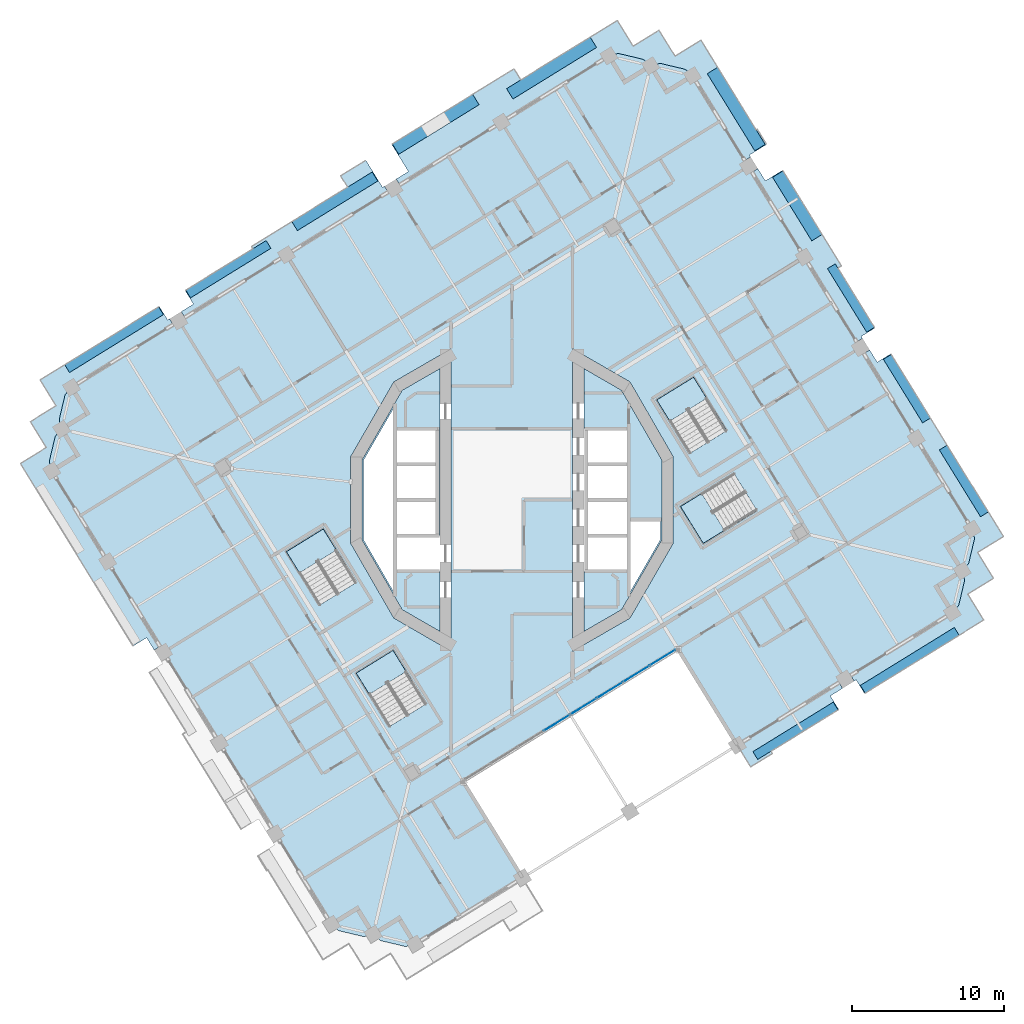
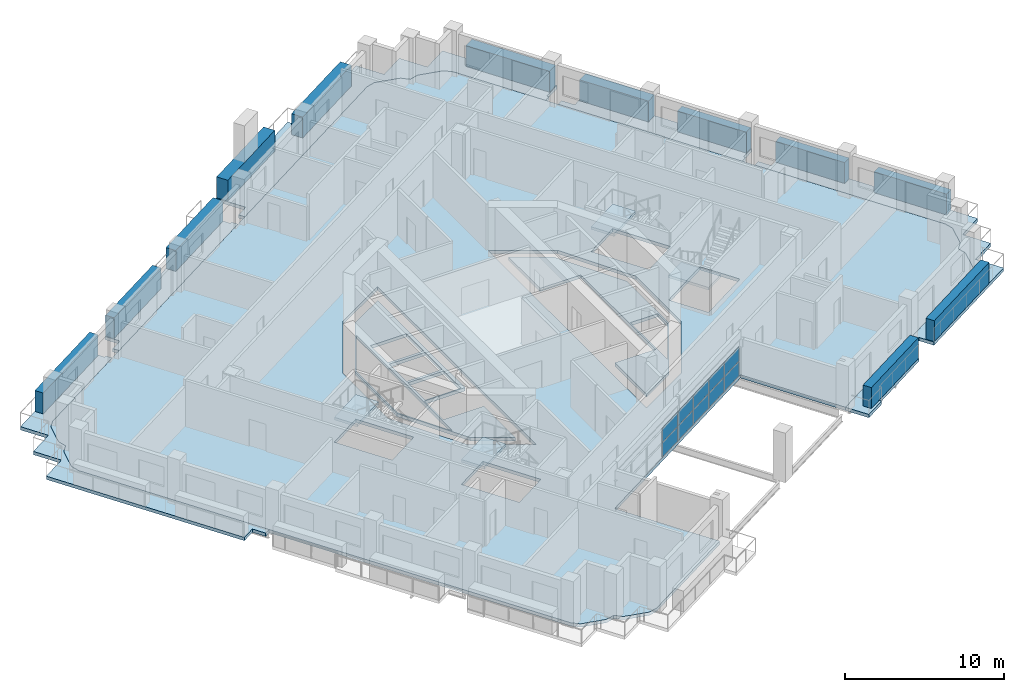
# One storey, part 7 of 22: 22 plates, 13 slabs, 5 elements without a shape of their own.
"""IFC4 building model written with IfcOpenShell, lengths in metres."""

from ifc_helpers import new_model, si_unit, direction, frame, origin, origin_2d, place, context, subcontext, project, spatial, polyline, rectangle, outline, extrude, material, layer, layer_set, type_object, element, aggregate, save


model = new_model("IFC4")

# Units and contexts
model_context = context("Model", 3, precision=1e-05, world=origin(), true_north=direction((0.0, 1.0)))
body_context = subcontext(model_context, "Body", "Model", "MODEL_VIEW")
ifc_project = project(units=[si_unit("LENGTHUNIT", "METRE"), si_unit("AREAUNIT", "SQUARE_METRE"), si_unit("VOLUMEUNIT", "CUBIC_METRE"), si_unit("PLANEANGLEUNIT", "RADIAN"), si_unit("MASSUNIT", "GRAM", prefix="KILO")], contexts=[model_context])

# Site, building, storey
site_placement = place(None, origin())
site = spatial("IfcSite", under=ifc_project, at=site_placement, CompositionType="ELEMENT")
building_placement = place(site_placement, origin())
building = spatial("IfcBuilding", under=site, at=building_placement, Name="Cantera Rosa Tower", CompositionType="ELEMENT")
storey_placement = place(building_placement, frame((0.0, 0.0, 174.199951171875)))
storey = spatial("IfcBuildingStorey", under=building, at=storey_placement, Name="L38", CompositionType="ELEMENT", Elevation=174.199951171875)

# Slabs
ifc_material_1 = material(Name="Concrete C35/45", Category="concrete")
ifc_layer_1 = layer(ifc_material_1, 0.25)
ifc_layer_set_1 = layer_set([ifc_layer_1], Name="COMPOSITE FLOOR SLAB 250 C35/45")
slab_type_1 = type_object("IfcSlabType", Name="COMPOSITE FLOOR SLAB 250 C35/45", PredefinedType="FLOOR", material=ifc_layer_set_1)
slab_1_placement = place(storey_placement, frame((0.0, 0.0, -0.25)))
element("IfcSlab", 1, at=slab_1_placement, inside=storey, type_object=slab_type_1, Name="SLAB L38 floor 1", PredefinedType="FLOOR", context=body_context, shape_type="SweptSolid", body=[
    extrude(outline(polyline([(-7.699951171875, -2.35009765625), (-7.699951171875, -4.699951171875), (-4.75, -4.699951171875), (-4.75, -8.660400390625), (-7.22900390625, -7.22900390625), (-9.875244140625, -2.64599609375), (-9.875244140625, 2.64599609375), (-7.22900390625, 7.22900390625), (-4.75, 8.660400390625), (-4.75, -2.35009765625), (-7.699951171875, -2.35009765625)]), holes=[polyline([(-7.60009765625, -0.10009765625), (-7.60009765625, -2.25), (-5.0, -2.25), (-5.0, -0.10009765625), (-7.60009765625, -0.10009765625)]), polyline([(-7.800048828125, 6.040283203125), (-9.775146484375, 2.619384765625), (-9.775146484375, -2.619384765625), (-7.800048828125, -6.040283203125), (-7.800048828125, 6.040283203125)]), polyline([(-7.60009765625, 2.25), (-7.60009765625, 0.10009765625), (-5.0, 0.10009765625), (-5.0, 2.25), (-7.60009765625, 2.25)]), polyline([(-7.60009765625, 4.60009765625), (-7.60009765625, 2.449951171875), (-5.0, 2.449951171875), (-5.0, 4.60009765625), (-7.60009765625, 4.60009765625)])]), origin(), (0.0, 0.0, 1.0), 0.25),
])
slab_2_placement = place(storey_placement, frame((0.0, 0.0, -0.25)))
element("IfcSlab", 2, at=slab_2_placement, inside=storey, type_object=slab_type_1, Name="SLAB L38 floor 2", PredefinedType="FLOOR", context=body_context, shape_type="SweptSolid", body=[
    extrude(outline(polyline([(-8.647705078125, -29.0283203125), (-8.673828125, -29.014892578125), (-8.698486328125, -28.998779296875), (-8.721435546875, -28.98046875), (-9.14208984375, -28.60888671875), (-9.684814453125, -28.752197265625), (-9.713623046875, -28.75830078125), (-9.742919921875, -28.761474609375), (-9.772216796875, -28.76171875), (-9.801513671875, -28.75927734375), (-9.83056640625, -28.75390625), (-11.34423828125, -28.395263671875), (-11.37255859375, -28.386962890625), (-11.39990234375, -28.376220703125), (-11.426025390625, -28.362548828125), (-11.45068359375, -28.346435546875), (-11.4736328125, -28.328125), (-11.894287109375, -27.95654296875), (-12.408935546875, -27.122314453125), (-30.321044921875, 1.917724609375), (-30.46435546875, 2.460205078125), (-30.470458984375, 2.489013671875), (-30.4736328125, 2.518310546875), (-30.47412109375, 2.5478515625), (-30.4716796875, 2.5771484375), (-30.46630859375, 2.606201171875), (-30.107421875, 4.119873046875), (-30.09912109375, 4.148193359375), (-30.08837890625, 4.17529296875), (-30.07470703125, 4.20166015625), (-30.05859375, 4.226318359375), (-30.040283203125, 4.249267578125), (-29.668701171875, 4.669921875), (-29.81201171875, 5.21240234375), (-29.818115234375, 5.2412109375), (-29.8212890625, 5.2705078125), (-29.82177734375, 5.300048828125), (-29.8193359375, 5.329345703125), (-29.81396484375, 5.3583984375), (-29.455078125, 6.8720703125), (-29.447021484375, 6.900390625), (-29.43603515625, 6.927490234375), (-29.422607421875, 6.953857421875), (-29.406494140625, 6.978515625), (-29.38818359375, 7.00146484375), (-29.0166015625, 7.422119140625), (6.389892578125, 29.260986328125), (6.9326171875, 29.404296875), (6.96142578125, 29.410400390625), (6.99072265625, 29.413818359375), (7.02001953125, 29.4140625), (7.049560546875, 29.41162109375), (7.078369140625, 29.40625), (8.592041015625, 29.047607421875), (8.620361328125, 29.039306640625), (8.647705078125, 29.0283203125), (8.673828125, 29.014892578125), (8.698486328125, 28.998779296875), (8.721435546875, 28.98046875), (9.14208984375, 28.60888671875), (9.684814453125, 28.752197265625), (9.713623046875, 28.75830078125), (9.742919921875, 28.761474609375), (9.772216796875, 28.76171875), (9.801513671875, 28.75927734375), (9.83056640625, 28.75390625), (11.34423828125, 28.395263671875), (11.37255859375, 28.386962890625), (11.39990234375, 28.376220703125), (11.426025390625, 28.362548828125), (11.45068359375, 28.346435546875), (11.4736328125, 28.328125), (11.894287109375, 27.95654296875), (30.321044921875, -1.917724609375), (30.46435546875, -2.460205078125), (30.470458984375, -2.489013671875), (30.4736328125, -2.518310546875), (30.47412109375, -2.5478515625), (30.4716796875, -2.5771484375), (30.46630859375, -2.606201171875), (30.107421875, -4.119873046875), (30.09912109375, -4.148193359375), (30.08837890625, -4.17529296875), (30.07470703125, -4.20166015625), (30.05859375, -4.226318359375), (30.040283203125, -4.249267578125), (29.668701171875, -4.669921875), (29.81201171875, -5.21240234375), (29.818115234375, -5.2412109375), (29.8212890625, -5.2705078125), (29.82177734375, -5.300048828125), (29.8193359375, -5.329345703125), (29.81396484375, -5.3583984375), (29.455078125, -6.8720703125), (29.447021484375, -6.900390625), (29.43603515625, -6.927490234375), (29.422607421875, -6.953857421875), (29.406494140625, -6.978515625), (29.38818359375, -7.00146484375), (29.0166015625, -7.422119140625), (28.18212890625, -7.9365234375), (14.85400390625, -16.15771484375), (10.91650390625, -9.7744140625), (-3.24609375, -18.510009765625), (0.69140625, -24.893310546875), (-6.389892578125, -29.260986328125), (-6.9326171875, -29.404296875), (-6.96142578125, -29.410400390625), (-6.99072265625, -29.413818359375), (-7.02001953125, -29.4140625), (-7.049560546875, -29.41162109375), (-7.078369140625, -29.40625), (-8.592041015625, -29.047607421875), (-8.620361328125, -29.039306640625), (-8.647705078125, -29.0283203125)]), holes=[polyline([(-5.658447265625, -13.433349609375), (-7.830810546875, -9.911376953125), (-10.256591796875, -11.407470703125), (-8.084228515625, -14.929443359375), (-5.658447265625, -13.433349609375)]), polyline([(-10.258544921875, -5.433349609375), (-12.430908203125, -1.911376953125), (-14.8564453125, -3.407470703125), (-12.68408203125, -6.929443359375), (-10.258544921875, -5.433349609375)]), polyline([(-7.7783203125, 7.7783203125), (-10.625244140625, 2.846923828125), (-10.625244140625, -2.846923828125), (-7.7783203125, -7.7783203125), (-4.0, -9.95947265625), (-4.0, 9.95947265625), (-7.7783203125, 7.7783203125)]), polyline([(14.63330078125, 1.741455078125), (11.111328125, -0.430908203125), (12.607421875, -2.8564453125), (16.12939453125, -0.68408203125), (14.63330078125, 1.741455078125)]), polyline([(7.7783203125, -7.7783203125), (10.625244140625, -2.846923828125), (10.625244140625, 2.846923828125), (7.7783203125, 7.7783203125), (4.0, 9.95947265625), (4.0, -9.95947265625), (7.7783203125, -7.7783203125)]), polyline([(11.7158203125, 3.070556640625), (14.1416015625, 4.566650390625), (11.96923828125, 8.088623046875), (9.54345703125, 6.592529296875), (11.7158203125, 3.070556640625)])]), origin(), (0.0, 0.0, 1.0), 0.25),
])
slab_3_placement = place(storey_placement, frame((0.0, 0.0, -0.25)))
element("IfcSlab", 3, at=slab_3_placement, inside=storey, type_object=slab_type_1, Name="SLAB L38 floor 3", PredefinedType="FLOOR", context=body_context, shape_type="SweptSolid", body=[
    extrude(outline(polyline([(4.75, 4.699951171875), (4.75, 8.660400390625), (7.22900390625, 7.22900390625), (9.875244140625, 2.64599609375), (9.875244140625, -2.64599609375), (7.22900390625, -7.22900390625), (4.75, -8.660400390625), (4.75, -4.699951171875), (7.699951171875, -4.699951171875), (7.699951171875, -2.35009765625), (7.699951171875, 0.0), (7.699951171875, 2.35009765625), (7.699951171875, 4.699951171875), (4.75, 4.699951171875)]), holes=[polyline([(9.775146484375, -2.619384765625), (9.775146484375, -1.3828125), (7.800048828125, -1.3828125), (7.800048828125, -2.25), (7.800048828125, -2.449951171875), (7.800048828125, -6.040283203125), (9.775146484375, -2.619384765625)])]), origin(), (0.0, 0.0, 1.0), 0.25),
])

# Curtain wall, plates
ifc_material_2 = material(Name="Aluminium frame with clear glass", Category="aluminium")
curtain_wall_type = type_object("IfcCurtainWallType", Name="CW1 TERRACE POCKET GLAZING", PredefinedType="NOTDEFINED", material=ifc_material_2)
curtain_wall_placement = place(storey_placement, origin())
curtain_wall = element("IfcCurtainWall", 4, at=curtain_wall_placement, inside=storey, type_object=curtain_wall_type, Name="CW1 CW1", PredefinedType="NOTDEFINED")
ifc_material_3 = material(Name="Aluminium frame with clear glass", Category="aluminium")
ifc_layer_2 = layer(ifc_material_3, 0.028076171875)
ifc_layer_set_2 = layer_set([ifc_layer_2], Name="CW-PANEL POCKET")
plate_type_1 = type_object("IfcPlateType", Name="CW-PANEL POCKET", PredefinedType="CURTAIN_PANEL", material=ifc_layer_set_2)
plate_1_placement = place(storey_placement, frame((2.96337890625, -14.679931640625, 0.06005859375), z_axis=(0.0, 0.0, 1.0), x_axis=(0.851116672425, 0.524976580354, 0.0)))
plate_1 = element("IfcPlate", 5, at=plate_1_placement, type_object=plate_type_1, Name="CW1 panel 4.1", PredefinedType="CURTAIN_PANEL", context=body_context, shape_type="SweptSolid", body=[
    extrude(rectangle(XDim=1.98876953125, YDim=0.028076171875, at=origin_2d()), origin(), (0.0, 0.0, 1.0), 1.0791015625),
])
plate_2_placement = place(storey_placement, frame((2.96337890625, -14.679931640625, 1.198974609375), z_axis=(0.0, 0.0, 1.0), x_axis=(0.851116672425, 0.524976580354, 0.0)))
plate_2 = element("IfcPlate", 6, at=plate_2_placement, type_object=plate_type_1, Name="CW1 panel 4.2", PredefinedType="CURTAIN_PANEL", context=body_context, shape_type="SweptSolid", body=[
    extrude(rectangle(XDim=1.98876953125, YDim=0.028076171875, at=origin_2d()), origin(), (0.0, 0.0, 1.0), 1.0791015625),
])
plate_3_placement = place(storey_placement, frame((4.70703125, -13.604248046875, 0.06005859375), z_axis=(0.0, 0.0, 1.0), x_axis=(0.851116672425, 0.524976580354, 0.0)))
plate_3 = element("IfcPlate", 7, at=plate_3_placement, type_object=plate_type_1, Name="CW1 panel 5.1", PredefinedType="CURTAIN_PANEL", context=body_context, shape_type="SweptSolid", body=[
    extrude(rectangle(XDim=1.98876953125, YDim=0.028076171875, at=origin_2d()), origin(), (0.0, 0.0, 1.0), 1.0791015625),
])
plate_4_placement = place(storey_placement, frame((4.70703125, -13.604248046875, 1.198974609375), z_axis=(0.0, 0.0, 1.0), x_axis=(0.851116672425, 0.524976580354, 0.0)))
plate_4 = element("IfcPlate", 8, at=plate_4_placement, type_object=plate_type_1, Name="CW1 panel 5.2", PredefinedType="CURTAIN_PANEL", context=body_context, shape_type="SweptSolid", body=[
    extrude(rectangle(XDim=1.98876953125, YDim=0.028076171875, at=origin_2d()), origin(), (0.0, 0.0, 1.0), 1.0791015625),
])
plate_5_placement = place(storey_placement, frame((6.450927734375, -12.52880859375, 0.06005859375), z_axis=(0.0, 0.0, 1.0), x_axis=(0.851116672425, 0.524976580354, 0.0)))
plate_5 = element("IfcPlate", 9, at=plate_5_placement, type_object=plate_type_1, Name="CW1 panel 6.1", PredefinedType="CURTAIN_PANEL", context=body_context, shape_type="SweptSolid", body=[
    extrude(rectangle(XDim=1.98876953125, YDim=0.028076171875, at=origin_2d()), origin(), (0.0, 0.0, 1.0), 1.0791015625),
])
plate_6_placement = place(storey_placement, frame((6.450927734375, -12.52880859375, 1.198974609375), z_axis=(0.0, 0.0, 1.0), x_axis=(0.851116672425, 0.524976580354, 0.0)))
plate_6 = element("IfcPlate", 10, at=plate_6_placement, type_object=plate_type_1, Name="CW1 panel 6.2", PredefinedType="CURTAIN_PANEL", context=body_context, shape_type="SweptSolid", body=[
    extrude(rectangle(XDim=1.98876953125, YDim=0.028076171875, at=origin_2d()), origin(), (0.0, 0.0, 1.0), 1.0791015625),
])
plate_7_placement = place(storey_placement, frame((8.194580078125, -11.453125, 0.06005859375), z_axis=(0.0, 0.0, 1.0), x_axis=(0.851116672425, 0.524976580354, 0.0)))
plate_7 = element("IfcPlate", 11, at=plate_7_placement, type_object=plate_type_1, Name="CW1 panel 7.1", PredefinedType="CURTAIN_PANEL", context=body_context, shape_type="SweptSolid", body=[
    extrude(rectangle(XDim=1.98876953125, YDim=0.028076171875, at=origin_2d()), origin(), (0.0, 0.0, 1.0), 1.0791015625),
])
plate_8_placement = place(storey_placement, frame((8.194580078125, -11.453125, 1.198974609375), z_axis=(0.0, 0.0, 1.0), x_axis=(0.851116672425, 0.524976580354, 0.0)))
plate_8 = element("IfcPlate", 12, at=plate_8_placement, type_object=plate_type_1, Name="CW1 panel 7.2", PredefinedType="CURTAIN_PANEL", context=body_context, shape_type="SweptSolid", body=[
    extrude(rectangle(XDim=1.98876953125, YDim=0.028076171875, at=origin_2d()), origin(), (0.0, 0.0, 1.0), 1.0791015625),
])
plate_9_placement = place(storey_placement, frame((9.925537109375, -10.385498046875, 0.06005859375), z_axis=(0.0, 0.0, 1.0), x_axis=(0.851116672425, 0.524976580354, 0.0)))
plate_9 = element("IfcPlate", 13, at=plate_9_placement, type_object=plate_type_1, Name="CW1 panel 8.1", PredefinedType="CURTAIN_PANEL", context=body_context, shape_type="SweptSolid", body=[
    extrude(rectangle(XDim=1.958740234375, YDim=0.028076171875, at=origin_2d()), origin(), (0.0, 0.0, 1.0), 1.0791015625),
])
plate_10_placement = place(storey_placement, frame((9.925537109375, -10.385498046875, 1.198974609375), z_axis=(0.0, 0.0, 1.0), x_axis=(0.851116672425, 0.524976580354, 0.0)))
plate_10 = element("IfcPlate", 14, at=plate_10_placement, type_object=plate_type_1, Name="CW1 panel 8.2", PredefinedType="CURTAIN_PANEL", context=body_context, shape_type="SweptSolid", body=[
    extrude(rectangle(XDim=1.958740234375, YDim=0.028076171875, at=origin_2d()), origin(), (0.0, 0.0, 1.0), 1.0791015625),
])
aggregate(curtain_wall, [plate_1, plate_2, plate_3, plate_4, plate_5, plate_6, plate_7, plate_8, plate_9, plate_10])

# Slabs
ifc_material_4 = material(Name="Concrete C35/45", Category="concrete")
ifc_layer_3 = layer(ifc_material_4, 0.25)
ifc_layer_set_3 = layer_set([ifc_layer_3], Name="LOGGIA SLAB 250 C35/45")
slab_type_2 = type_object("IfcSlabType", Name="LOGGIA SLAB 250 C35/45", PredefinedType="FLOOR", material=ifc_layer_set_3)
slab_4_placement = place(storey_placement, frame((0.0, 0.0, -0.25)))
element("IfcSlab", 15, at=slab_4_placement, inside=storey, type_object=slab_type_2, Name="LOGGIA SLAB L38 1", PredefinedType="FLOOR", context=body_context, shape_type="SweptSolid", body=[
    extrude(outline(polyline([(-28.69970703125, -3.568115234375), (-31.59765625, 1.130126953125), (-32.38525390625, 2.406982421875), (-31.1083984375, 3.1943359375), (-30.682861328125, 3.456787109375), (-30.9453125, 3.88232421875), (-31.73291015625, 5.1591796875), (-30.456298828125, 5.946533203125), (-30.03076171875, 6.208984375), (-30.293212890625, 6.634521484375), (-31.08056640625, 7.911376953125), (-29.803955078125, 8.69873046875), (-23.999267578125, 12.279052734375), (-23.2333984375, 12.75146484375), (-22.68212890625, 11.85791015625), (-22.554443359375, 11.9365234375), (-22.318115234375, 11.5537109375), (-29.0166015625, 7.422119140625), (-29.38818359375, 7.00146484375), (-29.406494140625, 6.978515625), (-29.422607421875, 6.953857421875), (-29.43603515625, 6.927490234375), (-29.447021484375, 6.900390625), (-29.455078125, 6.8720703125), (-29.81396484375, 5.3583984375), (-29.8193359375, 5.329345703125), (-29.82177734375, 5.300048828125), (-29.8212890625, 5.2705078125), (-29.818115234375, 5.2412109375), (-29.81201171875, 5.21240234375), (-29.668701171875, 4.669921875), (-30.040283203125, 4.249267578125), (-30.05859375, 4.226318359375), (-30.07470703125, 4.20166015625), (-30.08837890625, 4.17529296875), (-30.09912109375, 4.148193359375), (-30.107421875, 4.119873046875), (-30.46630859375, 2.606201171875), (-30.4716796875, 2.5771484375), (-30.47412109375, 2.5478515625), (-30.4736328125, 2.518310546875), (-30.470458984375, 2.489013671875), (-30.46435546875, 2.460205078125), (-30.321044921875, 1.917724609375), (-23.1865234375, -9.64892578125), (-23.569580078125, -9.88525390625), (-24.068359375, -9.07666015625), (-24.9619140625, -9.6279296875), (-25.014404296875, -9.542724609375), (-27.125, -6.121337890625), (-28.69970703125, -3.568115234375)])), origin(), (0.0, 0.0, 1.0), 0.25),
])
slab_5_placement = place(storey_placement, frame((0.0, 0.0, -0.25)))
element("IfcSlab", 16, at=slab_5_placement, inside=storey, type_object=slab_type_2, Name="LOGGIA SLAB L38 3", PredefinedType="FLOOR", context=body_context, shape_type="SweptSolid", body=[
    extrude(outline(polyline([(-17.160400390625, 16.704345703125), (-10.824462890625, 20.6123046875), (-11.2841796875, 21.357666015625), (-9.622802734375, 22.38232421875), (-8.51953125, 20.593505859375), (-8.391845703125, 20.672119140625), (-8.155517578125, 20.289306640625), (-21.55224609375, 12.026123046875), (-21.788330078125, 12.4091796875), (-20.97998046875, 12.90771484375), (-21.531005859375, 13.801513671875), (-21.446044921875, 13.85400390625), (-17.068115234375, 16.554443359375), (-17.160400390625, 16.704345703125)])), origin(), (0.0, 0.0, 1.0), 0.25),
])
slab_6_placement = place(storey_placement, frame((0.0, 0.0, -0.25)))
element("IfcSlab", 17, at=slab_6_placement, inside=storey, type_object=slab_type_2, Name="LOGGIA SLAB L38 5", PredefinedType="FLOOR", context=body_context, shape_type="SweptSolid", body=[
    extrude(outline(polyline([(5.49755859375, 30.7080078125), (6.9443359375, 31.600341796875), (7.8369140625, 30.153564453125), (7.994384765625, 29.898193359375), (8.249755859375, 30.0556640625), (9.696533203125, 30.9482421875), (10.589111328125, 29.501220703125), (10.74658203125, 29.245849609375), (11.001953125, 29.4033203125), (12.44873046875, 30.2958984375), (13.34130859375, 28.84912109375), (16.09228515625, 24.388916015625), (16.16015625, 24.4306640625), (16.779296875, 23.426513671875), (15.647705078125, 22.728515625), (15.7265625, 22.600830078125), (15.343505859375, 22.36474609375), (11.894287109375, 27.95654296875), (11.4736328125, 28.328125), (11.45068359375, 28.346435546875), (11.426025390625, 28.362548828125), (11.39990234375, 28.376220703125), (11.37255859375, 28.386962890625), (11.34423828125, 28.395263671875), (9.83056640625, 28.75390625), (9.801513671875, 28.75927734375), (9.772216796875, 28.76171875), (9.742919921875, 28.761474609375), (9.713623046875, 28.75830078125), (9.684814453125, 28.752197265625), (9.14208984375, 28.60888671875), (8.721435546875, 28.98046875), (8.698486328125, 28.998779296875), (8.673828125, 29.014892578125), (8.647705078125, 29.0283203125), (8.620361328125, 29.039306640625), (8.592041015625, 29.047607421875), (7.078369140625, 29.40625), (7.049560546875, 29.41162109375), (7.02001953125, 29.4140625), (6.99072265625, 29.413818359375), (6.96142578125, 29.410400390625), (6.9326171875, 29.404296875), (6.389892578125, 29.260986328125), (-7.3896484375, 20.76171875), (-7.625732421875, 21.144775390625), (-6.8173828125, 21.643310546875), (-7.920654296875, 23.432373046875), (0.14111328125, 28.40478515625), (0.588134765625, 27.6796875), (5.49755859375, 30.7080078125)])), origin(), (0.0, 0.0, 1.0), 0.25),
])
slab_7_placement = place(storey_placement, frame((0.0, 0.0, -0.25)))
element("IfcSlab", 18, at=slab_7_placement, inside=storey, type_object=slab_type_2, Name="LOGGIA SLAB L38 6", PredefinedType="FLOOR", context=body_context, shape_type="SweptSolid", body=[
    extrude(outline(polyline([(21.55224609375, -12.026123046875), (21.788330078125, -12.4091796875), (20.97998046875, -12.90771484375), (21.531005859375, -13.801513671875), (21.446044921875, -13.85400390625), (17.068115234375, -16.554443359375), (17.160400390625, -16.704345703125), (15.73388671875, -17.584228515625), (14.85400390625, -16.15771484375), (21.55224609375, -12.026123046875)])), origin(), (0.0, 0.0, 1.0), 0.25),
])
slab_8_placement = place(storey_placement, frame((0.0, 0.0, -0.25)))
element("IfcSlab", 19, at=slab_8_placement, inside=storey, type_object=slab_type_2, Name="LOGGIA SLAB L38 7", PredefinedType="FLOOR", context=body_context, shape_type="SweptSolid", body=[
    extrude(outline(polyline([(23.439697265625, 12.09619140625), (23.912109375, 11.330078125), (23.018310546875, 10.77880859375), (23.09716796875, 10.651123046875), (22.714111328125, 10.4150390625), (15.81591796875, 21.5986328125), (16.198974609375, 21.8349609375), (16.69775390625, 21.0263671875), (17.829345703125, 21.724365234375), (21.714111328125, 15.426513671875), (21.47607421875, 15.279541015625), (23.439697265625, 12.09619140625)])), origin(), (0.0, 0.0, 1.0), 0.25),
])
slab_9_placement = place(storey_placement, frame((0.0, 0.0, -0.25)))
element("IfcSlab", 20, at=slab_9_placement, inside=storey, type_object=slab_type_2, Name="LOGGIA SLAB L38 8", PredefinedType="FLOOR", context=body_context, shape_type="SweptSolid", body=[
    extrude(outline(polyline([(28.69970703125, 3.568115234375), (31.59765625, -1.130126953125), (32.38525390625, -2.406982421875), (31.1083984375, -3.1943359375), (30.682861328125, -3.456787109375), (30.9453125, -3.88232421875), (31.73291015625, -5.1591796875), (30.456298828125, -5.946533203125), (30.03076171875, -6.208984375), (30.293212890625, -6.634521484375), (31.08056640625, -7.911376953125), (29.803955078125, -8.69873046875), (23.999267578125, -12.279052734375), (23.2333984375, -12.75146484375), (22.68212890625, -11.85791015625), (22.554443359375, -11.9365234375), (22.318115234375, -11.5537109375), (28.18212890625, -7.9365234375), (29.0166015625, -7.422119140625), (29.38818359375, -7.00146484375), (29.406494140625, -6.978515625), (29.422607421875, -6.953857421875), (29.43603515625, -6.927490234375), (29.447021484375, -6.900390625), (29.455078125, -6.8720703125), (29.81396484375, -5.3583984375), (29.8193359375, -5.329345703125), (29.82177734375, -5.300048828125), (29.8212890625, -5.2705078125), (29.818115234375, -5.2412109375), (29.81201171875, -5.21240234375), (29.668701171875, -4.669921875), (30.040283203125, -4.249267578125), (30.05859375, -4.226318359375), (30.07470703125, -4.20166015625), (30.08837890625, -4.17529296875), (30.09912109375, -4.148193359375), (30.107421875, -4.119873046875), (30.46630859375, -2.606201171875), (30.4716796875, -2.5771484375), (30.47412109375, -2.5478515625), (30.4736328125, -2.518310546875), (30.470458984375, -2.489013671875), (30.46435546875, -2.460205078125), (30.321044921875, -1.917724609375), (23.1865234375, 9.64892578125), (23.569580078125, 9.88525390625), (24.068359375, 9.07666015625), (24.9619140625, 9.6279296875), (25.014404296875, 9.542724609375), (27.125, 6.121337890625), (28.69970703125, 3.568115234375)])), origin(), (0.0, 0.0, 1.0), 0.25),
])

# Plates
ifc_material_5 = material(Name="Cantera stone planter with soil", Category="masonry")
plate_type_2 = type_object("IfcPlateType", Name="PLANTER 600", PredefinedType="USERDEFINED", material=ifc_material_5)
plate_11_placement = place(storey_placement, frame((29.775390625, 1.2529296875, 0.0), z_axis=(0.0, 0.0, 1.0), x_axis=(-0.52497658034, 0.851116672434, 0.0)))
element("IfcPlate", 21, at=plate_11_placement, inside=storey, type_object=plate_type_2, Name="PLANTER L38-01", ObjectType="PLANTER", PredefinedType="USERDEFINED", context=body_context, shape_type="SweptSolid", body=[
    extrude(rectangle(XDim=5.169921875, YDim=0.60009765625, at=origin_2d()), origin(), (0.0, 0.0, 1.0), 1.60009765625),
])
for number, where, z_axis, x_axis, name in (
    (22, (26.0244140625, 7.333984375, 0.0), (0.0, 0.0, 1.0), (-0.52497658034, 0.851116672434, 0.0), "PLANTER L38-02"),
    (23, (22.339111328125, 13.308837890625, 0.0), (0.0, 0.0, 1.0), (-0.52497658034, 0.851116672434, 0.0), "PLANTER L38-03"),
):
    element("IfcPlate", number, at=place(storey_placement, frame(where, z_axis=z_axis, x_axis=x_axis)), inside=storey, type_object=plate_type_2, Name=name, ObjectType="PLANTER", PredefinedType="USERDEFINED", context=body_context, shape_type="SweptSolid", body=[
        extrude(rectangle(XDim=4.919921875, YDim=0.60009765625, at=origin_2d()), origin(), (0.0, 0.0, 1.0), 1.60009765625),
    ])
plate_12_placement = place(storey_placement, frame((-18.68408203125, 15.205078125, 0.0), z_axis=(0.0, 0.0, 1.0), x_axis=(-0.851116672434, -0.52497658034, 0.0)))
element("IfcPlate", 24, at=plate_12_placement, inside=storey, type_object=plate_type_2, Name="PLANTER L38-09", ObjectType="PLANTER", PredefinedType="USERDEFINED", context=body_context, shape_type="SweptSolid", body=[
    extrude(rectangle(XDim=6.219970703125, YDim=0.60009765625, at=origin_2d()), origin(), (0.0, 0.0, 1.0), 1.60009765625),
])
plate_13_placement = place(storey_placement, frame((-26.212158203125, 10.561767578125, 0.0), z_axis=(0.0, 0.0, 1.0), x_axis=(-0.851116672434, -0.52497658034, 0.0)))
element("IfcPlate", 25, at=plate_13_placement, inside=storey, type_object=plate_type_2, Name="PLANTER L38-10", ObjectType="PLANTER", PredefinedType="USERDEFINED", context=body_context, shape_type="SweptSolid", body=[
    extrude(rectangle(XDim=7.27001953125, YDim=0.60009765625, at=origin_2d()), origin(), (0.0, 0.0, 1.0), 1.60009765625),
])
plate_14_placement = place(storey_placement, frame((18.68408203125, -15.205078125, 0.0), z_axis=(0.0, 0.0, 1.0), x_axis=(0.851116672434, 0.52497658034, 0.0)))
element("IfcPlate", 26, at=plate_14_placement, inside=storey, type_object=plate_type_2, Name="PLANTER L38-19", ObjectType="PLANTER", PredefinedType="USERDEFINED", context=body_context, shape_type="SweptSolid", body=[
    extrude(rectangle(XDim=6.219970703125, YDim=0.60009765625, at=origin_2d()), origin(), (0.0, 0.0, 1.0), 1.60009765625),
])
plate_15_placement = place(storey_placement, frame((26.212158203125, -10.561767578125, 0.0), z_axis=(0.0, 0.0, 1.0), x_axis=(0.851116672434, 0.52497658034, 0.0)))
element("IfcPlate", 27, at=plate_15_placement, inside=storey, type_object=plate_type_2, Name="PLANTER L38-20", ObjectType="PLANTER", PredefinedType="USERDEFINED", context=body_context, shape_type="SweptSolid", body=[
    extrude(rectangle(XDim=7.27001953125, YDim=0.60009765625, at=origin_2d()), origin(), (0.0, 0.0, 1.0), 1.60009765625),
])
ifc_material_6 = material(Name="Cantera stone planter with soil", Category="masonry")
plate_type_3 = type_object("IfcPlateType", Name="PLANTER 700", PredefinedType="USERDEFINED", material=ifc_material_6)
plate_16_placement = place(storey_placement, frame((-11.6689453125, 19.68017578125, 0.0), z_axis=(0.0, 0.0, 1.0), x_axis=(-0.851116672434, -0.52497658034, 0.0)))
element("IfcPlate", 28, at=plate_16_placement, inside=storey, type_object=plate_type_3, Name="PLANTER L38-08", ObjectType="PLANTER", PredefinedType="USERDEFINED", context=body_context, shape_type="SweptSolid", body=[
    extrude(rectangle(XDim=6.219970703125, YDim=0.699951171875, at=origin_2d()), origin(), (0.0, 0.0, 1.0), 1.60009765625),
])
ifc_material_7 = material(Name="Cantera stone planter with soil", Category="masonry")
plate_type_4 = type_object("IfcPlateType", Name="PLANTER 800", PredefinedType="USERDEFINED", material=ifc_material_7)
plate_17_placement = place(storey_placement, frame((18.806640625, 19.378173828125, 0.0), z_axis=(0.0, 0.0, 1.0), x_axis=(-0.52497658034, 0.851116672434, 0.0)))
element("IfcPlate", 29, at=plate_17_placement, inside=storey, type_object=plate_type_4, Name="PLANTER L38-04", ObjectType="PLANTER", PredefinedType="USERDEFINED", context=body_context, shape_type="SweptSolid", body=[
    extrude(rectangle(XDim=4.919921875, YDim=0.800048828125, at=origin_2d()), origin(), (0.0, 0.0, 1.0), 1.60009765625),
])
plate_18_placement = place(storey_placement, frame((14.77783203125, 25.758056640625, 0.0), z_axis=(0.0, 0.0, 1.0), x_axis=(-0.52497658034, 0.851116672434, 0.0)))
element("IfcPlate", 30, at=plate_18_placement, inside=storey, type_object=plate_type_4, Name="PLANTER L38-05", ObjectType="PLANTER", PredefinedType="USERDEFINED", context=body_context, shape_type="SweptSolid", body=[
    extrude(rectangle(XDim=5.969970703125, YDim=0.800048828125, at=origin_2d()), origin(), (0.0, 0.0, 1.0), 1.60009765625),
])
plate_19_placement = place(storey_placement, frame((2.61376953125, 28.459228515625, 0.0), z_axis=(0.0, 0.0, 1.0), x_axis=(-0.851116672434, -0.52497658034, 0.0)))
element("IfcPlate", 31, at=plate_19_placement, inside=storey, type_object=plate_type_4, Name="PLANTER L38-06", ObjectType="PLANTER", PredefinedType="USERDEFINED", context=body_context, shape_type="SweptSolid", body=[
    extrude(rectangle(XDim=6.469970703125, YDim=0.800048828125, at=origin_2d()), origin(), (0.0, 0.0, 1.0), 1.60009765625),
])
plate_20_placement = place(storey_placement, frame((-5.021240234375, 24.750732421875, 0.0), z_axis=(0.0, 0.0, 1.0), x_axis=(-0.851116672434, -0.52497658034, 0.0)))
element("IfcPlate", 32, at=plate_20_placement, inside=storey, type_object=plate_type_4, Name="PLANTER L38-07", ObjectType="PLANTER", PredefinedType="USERDEFINED", context=body_context, shape_type="SweptSolid", body=[
    extrude(rectangle(XDim=6.219970703125, YDim=0.800048828125, at=origin_2d()), origin(), (0.0, 0.0, 1.0), 1.60009765625),
])

# Stair, slab
ifc_material_8 = material(Name="Concrete C35/45", Category="concrete")
stair_type = type_object("IfcStairType", Name="EXIT STAIR 1350 DOGLEG", PredefinedType="HALF_TURN_STAIR", material=ifc_material_8)
stair_1_placement = place(storey_placement, origin())
stair_1 = element("IfcStair", 33, at=stair_1_placement, inside=storey, type_object=stair_type, Name="L38 ST-31", PredefinedType="HALF_TURN_STAIR")
ifc_material_9 = material(Name="Concrete C35/45", Category="concrete")
ifc_layer_4 = layer(ifc_material_9, 0.199951171875)
ifc_layer_set_4 = layer_set([ifc_layer_4], Name="STAIR LANDING 200")
slab_type_3 = type_object("IfcSlabType", Name="STAIR LANDING 200", PredefinedType="LANDING", material=ifc_layer_set_4)
slab_10_placement = place(storey_placement, frame((0.0, 0.0, 1.699951171875)))
slab_10 = element("IfcSlab", 34, at=slab_10_placement, type_object=slab_type_3, Name="ST-31 landing 1", PredefinedType="LANDING", context=body_context, shape_type="SweptSolid", body=[
    extrude(outline(polyline([(12.8310546875, 6.691162109375), (11.96923828125, 8.088623046875), (9.54345703125, 6.592529296875), (10.405517578125, 5.19482421875), (12.8310546875, 6.691162109375)])), origin(), (0.0, 0.0, 1.0), 0.2001953125),
])
aggregate(stair_1, [slab_10])

stair_2_placement = place(storey_placement, origin())
stair_2 = element("IfcStair", 35, at=stair_2_placement, inside=storey, type_object=stair_type, Name="L38 ST-32", PredefinedType="HALF_TURN_STAIR")
slab_11_placement = place(storey_placement, frame((0.0, 0.0, 1.699951171875)))
slab_11 = element("IfcSlab", 36, at=slab_11_placement, type_object=slab_type_3, Name="ST-32 landing 1", PredefinedType="LANDING", context=body_context, shape_type="SweptSolid", body=[
    extrude(outline(polyline([(-11.56884765625, -3.308837890625), (-12.430908203125, -1.911376953125), (-14.8564453125, -3.407470703125), (-13.99462890625, -4.80517578125), (-11.56884765625, -3.308837890625)])), origin(), (0.0, 0.0, 1.0), 0.2001953125),
])
aggregate(stair_2, [slab_11])

stair_3_placement = place(storey_placement, origin())
stair_3 = element("IfcStair", 37, at=stair_3_placement, inside=storey, type_object=stair_type, Name="L38 ST-33", PredefinedType="HALF_TURN_STAIR")
slab_12_placement = place(storey_placement, frame((0.0, 0.0, 1.699951171875)))
slab_12 = element("IfcSlab", 38, at=slab_12_placement, type_object=slab_type_3, Name="ST-33 landing 1", PredefinedType="LANDING", context=body_context, shape_type="SweptSolid", body=[
    extrude(outline(polyline([(-6.96875, -11.308837890625), (-7.830810546875, -9.911376953125), (-10.256591796875, -11.407470703125), (-9.39453125, -12.80517578125), (-6.96875, -11.308837890625)])), origin(), (0.0, 0.0, 1.0), 0.2001953125),
])
aggregate(stair_3, [slab_12])

stair_4_placement = place(storey_placement, origin())
stair_4 = element("IfcStair", 39, at=stair_4_placement, inside=storey, type_object=stair_type, Name="L38 ST-34", PredefinedType="HALF_TURN_STAIR")
slab_13_placement = place(storey_placement, frame((0.0, 0.0, 1.699951171875)))
slab_13 = element("IfcSlab", 40, at=slab_13_placement, type_object=slab_type_3, Name="ST-34 landing 1", PredefinedType="LANDING", context=body_context, shape_type="SweptSolid", body=[
    extrude(outline(polyline([(12.5087890625, 0.43115234375), (11.111328125, -0.430908203125), (12.607421875, -2.8564453125), (14.005126953125, -1.99462890625), (12.5087890625, 0.43115234375)])), origin(), (0.0, 0.0, 1.0), 0.2001953125),
])
aggregate(stair_4, [slab_13])

save(model, "model.ifc")
